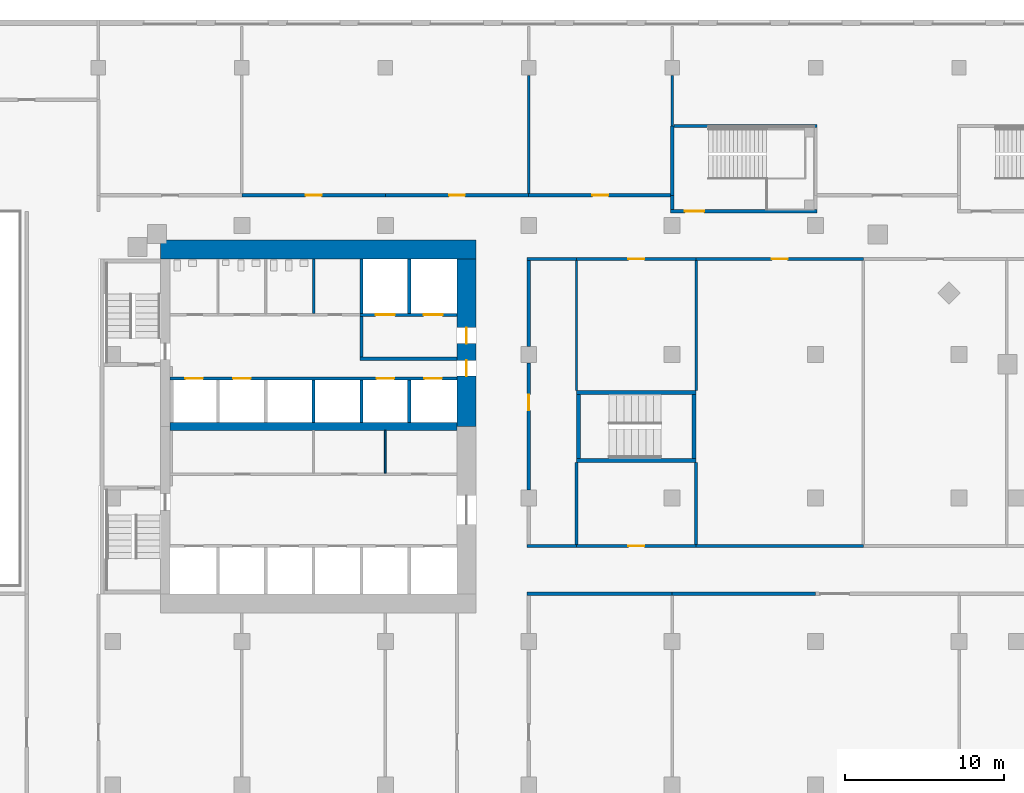
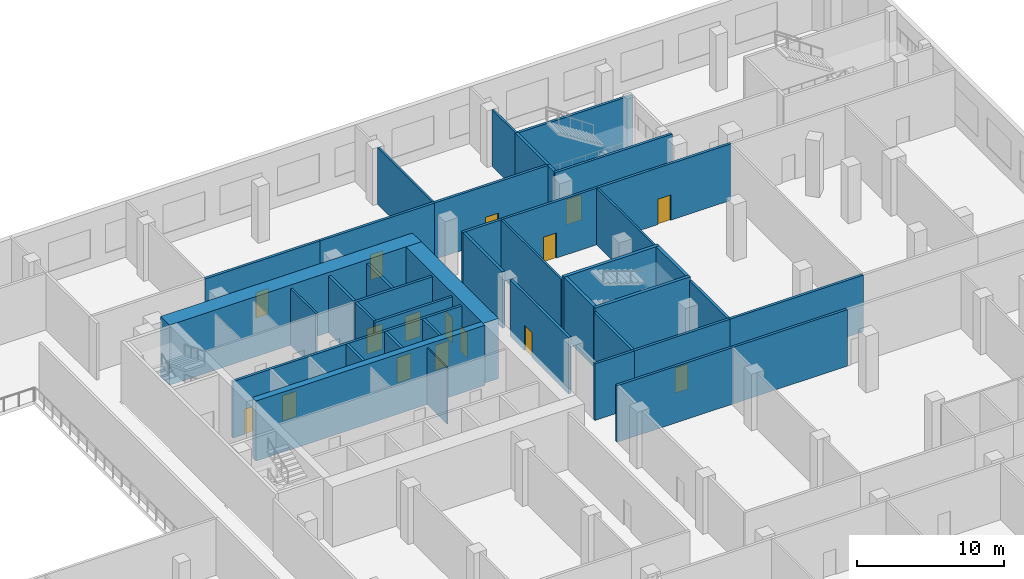
# One storey, part 11 of 21: 41 walls, 16 doors, 16 openings.
"""IFC4 building model written with IfcOpenShell, lengths in metres."""

from ifc_helpers import new_model, si_unit, direction, frame, frame_2d, origin, place, context, subcontext, project, spatial, rectangle, extrude, material, layer, layer_set, type_object, element, fill, save


model = new_model("IFC4")

# Units and contexts
model_context = context("Model", 3, precision=1e-05, world=origin(), true_north=direction((0.0, 1.0)))
body_context = subcontext(model_context, "Body", "Model", "MODEL_VIEW")
ifc_project = project(units=[si_unit("LENGTHUNIT", "METRE"), si_unit("AREAUNIT", "SQUARE_METRE"), si_unit("VOLUMEUNIT", "CUBIC_METRE"), si_unit("PLANEANGLEUNIT", "RADIAN"), si_unit("MASSUNIT", "GRAM", prefix="KILO")], contexts=[model_context])

# Site, building, storey
site_placement = place(None, origin())
site = spatial("IfcSite", under=ifc_project, at=site_placement, CompositionType="ELEMENT")
building_placement = place(site_placement, origin())
building = spatial("IfcBuilding", under=site, at=building_placement, Name="Cinnabar Reach Civic Tower", CompositionType="ELEMENT")
storey_placement = place(building_placement, frame((0.0, 0.0, 16.0)))
storey = spatial("IfcBuildingStorey", under=building, at=storey_placement, Name="L03", CompositionType="ELEMENT", Elevation=16.0)

# Wall
ifc_material_1 = material(Name="Concrete C70", Category="concrete")
ifc_layer_1 = layer(ifc_material_1, 1.2)
ifc_layer_set_1 = layer_set([ifc_layer_1], Name="Core wall 1200 EI 180")
wall_type_1 = type_object("IfcWallType", Name="Core wall 1200 EI 180", PredefinedType="SOLIDWALL", material=ifc_layer_set_1)
wall_1_placement = place(storey_placement, frame((23.7, 42.6, 0.0), z_axis=(0.0, 0.0, 1.0), x_axis=(-1.0, 0.0, 0.0)))
element("IfcWall", 1, at=wall_1_placement, inside=storey, type_object=wall_type_1, Name="Core wall T1 L03 N", PredefinedType="SOLIDWALL", context=body_context, shape_type="SweptSolid", body=[
    extrude(rectangle(XDim=19.8, YDim=1.2, at=frame_2d((9.9, 0.0))), origin(), (0.0, 0.0, 1.0), 5.0),
])

# Wall, openings, doors
wall_2_placement = place(storey_placement, frame((23.1, 31.5, 0.0), z_axis=(0.0, 0.0, 1.0), x_axis=(0.0, 1.0, 0.0)))
wall_2 = element("IfcWall", 2, at=wall_2_placement, inside=storey, type_object=wall_type_1, Name="Core wall T1 L03 E2", PredefinedType="SOLIDWALL", context=body_context, shape_type="SweptSolid", body=[
    extrude(rectangle(XDim=10.5, YDim=1.2, at=frame_2d((5.25, 0.0))), origin(), (0.0, 0.0, 1.0), 5.0),
])
opening_1_placement = place(wall_2_placement, frame((3.15, 0.0, 0.0)))
opening_1 = element("IfcOpeningElement", 3, at=opening_1_placement, cuts=wall_2, Name="Opening D3155", PredefinedType="OPENING", context=body_context, shape_type="SweptSolid", body=[
    extrude(rectangle(XDim=1.0, YDim=2.1, at=frame_2d((0.5, 1.05))), frame((0.0, 0.61, 0.0), z_axis=(0.0, -1.0, 0.0), x_axis=(1.0, 0.0, 0.0)), (0.0, 0.0, 1.0), 1.22),
])
opening_2_placement = place(wall_2_placement, frame((5.2, 0.0, 0.0)))
opening_2 = element("IfcOpeningElement", 4, at=opening_2_placement, cuts=wall_2, Name="Opening D3156", PredefinedType="OPENING", context=body_context, shape_type="SweptSolid", body=[
    extrude(rectangle(XDim=1.0, YDim=2.1, at=frame_2d((0.5, 1.05))), frame((0.0, 0.61, 0.0), z_axis=(0.0, -1.0, 0.0), x_axis=(1.0, 0.0, 0.0)), (0.0, 0.0, 1.0), 1.22),
])
ifc_material_2 = material(Name="Timber door leaf in steel frame", Category="steel")
door_type_1 = type_object("IfcDoorType", Name="Firefighting lobby door 1000 x 2100 T1", OperationType="SINGLE_SWING_LEFT", PredefinedType="DOOR", material=ifc_material_2)
door_1_placement = place(opening_2_placement, frame((1.0, 0.0, 0.0), z_axis=(0.0, 0.0, 1.0), x_axis=(-1.0, 0.0, 0.0)))
door_1 = element("IfcDoor", 5, at=door_1_placement, inside=storey, type_object=door_type_1, Name="Door D3156", OperationType="SINGLE_SWING_RIGHT", OverallHeight=2.1, OverallWidth=1.0, PredefinedType="DOOR", context=body_context, shape_type="SweptSolid", body=[
    extrude(rectangle(XDim=1.0, YDim=2.1, at=frame_2d((0.5, 1.05))), frame((0.0, 0.025, 0.0), z_axis=(0.0, -1.0, 0.0), x_axis=(1.0, 0.0, 0.0)), (0.0, 0.0, 1.0), 0.05),
])
fill(opening_2, door_1)
door_type_2 = type_object("IfcDoorType", Name="Single swing door 1000 x 2100 T1", OperationType="SINGLE_SWING_LEFT", PredefinedType="DOOR", material=ifc_material_2)
door_2_placement = place(opening_1_placement, frame((1.0, 0.0, 0.0), z_axis=(0.0, 0.0, 1.0), x_axis=(-1.0, 0.0, 0.0)))
door_2 = element("IfcDoor", 6, at=door_2_placement, inside=storey, type_object=door_type_2, Name="Door D3155", OperationType="SINGLE_SWING_RIGHT", OverallHeight=2.1, OverallWidth=1.0, PredefinedType="DOOR", context=body_context, shape_type="SweptSolid", body=[
    extrude(rectangle(XDim=1.0, YDim=2.1, at=frame_2d((0.5, 1.05))), frame((0.0, 0.025, 0.0), z_axis=(0.0, -1.0, 0.0), x_axis=(1.0, 0.0, 0.0)), (0.0, 0.0, 1.0), 0.05),
])
fill(opening_1, door_2)

# Wall
ifc_material_3 = material(Name="Concrete C60", Category="concrete")
ifc_layer_2 = layer(ifc_material_3, 0.5)
ifc_layer_set_2 = layer_set([ifc_layer_2], Name="Core wall 500 EI 180")
wall_type_2 = type_object("IfcWallType", Name="Core wall 500 EI 180", PredefinedType="SOLIDWALL", material=ifc_layer_set_2)
wall_3_placement = place(storey_placement, frame((4.5, 31.5, 0.0), z_axis=(0.0, 0.0, 1.0), x_axis=(1.0, 0.0, 0.0)))
element("IfcWall", 7, at=wall_3_placement, inside=storey, type_object=wall_type_2, Name="Core spine wall T1 L03", PredefinedType="SOLIDWALL", context=body_context, shape_type="SweptSolid", body=[
    extrude(rectangle(XDim=18.0, YDim=0.5, at=frame_2d((9.0, 0.0))), origin(), (0.0, 0.0, 1.0), 5.0),
])

# Wall, openings, doors
ifc_material_4 = material(Name="Blockwork", Category="masonry")
ifc_layer_3 = layer(ifc_material_4, 0.2)
ifc_layer_set_3 = layer_set([ifc_layer_3], Name="Lift shaft wall 200 T1")
wall_type_3 = type_object("IfcWallType", Name="Lift shaft wall 200 T1", PredefinedType="PARTITIONING", material=ifc_layer_set_3)
wall_4_placement = place(storey_placement, frame((4.5, 34.5, 0.0), z_axis=(0.0, 0.0, 1.0), x_axis=(1.0, 0.0, 0.0)))
wall_4 = element("IfcWall", 8, at=wall_4_placement, inside=storey, type_object=wall_type_3, Name="Lift shaft wall 5", PredefinedType="PARTITIONING", context=body_context, shape_type="SweptSolid", body=[
    extrude(rectangle(XDim=18.0, YDim=0.2, at=frame_2d((9.0, 0.0))), origin(), (0.0, 0.0, 1.0), 4.7),
])
opening_3_placement = place(wall_4_placement, frame((0.95, 0.0, 0.0)))
opening_3 = element("IfcOpeningElement", 9, at=opening_3_placement, cuts=wall_4, Name="Opening D3148", PredefinedType="OPENING", context=body_context, shape_type="SweptSolid", body=[
    extrude(rectangle(XDim=1.1, YDim=2.1, at=frame_2d((0.55, 1.05))), frame((0.0, 0.11, 0.0), z_axis=(0.0, -1.0, 0.0), x_axis=(1.0, 0.0, 0.0)), (0.0, 0.0, 1.0), 0.22),
])
opening_4_placement = place(wall_4_placement, frame((3.95, 0.0, 0.0)))
opening_4 = element("IfcOpeningElement", 10, at=opening_4_placement, cuts=wall_4, Name="Opening D3149", PredefinedType="OPENING", context=body_context, shape_type="SweptSolid", body=[
    extrude(rectangle(XDim=1.1, YDim=2.1, at=frame_2d((0.55, 1.05))), frame((0.0, 0.11, 0.0), z_axis=(0.0, -1.0, 0.0), x_axis=(1.0, 0.0, 0.0)), (0.0, 0.0, 1.0), 0.22),
])
opening_5_placement = place(wall_4_placement, frame((12.95, 0.0, 0.0)))
opening_5 = element("IfcOpeningElement", 11, at=opening_5_placement, cuts=wall_4, Name="Opening D3150", PredefinedType="OPENING", context=body_context, shape_type="SweptSolid", body=[
    extrude(rectangle(XDim=1.1, YDim=2.1, at=frame_2d((0.55, 1.05))), frame((0.0, 0.11, 0.0), z_axis=(0.0, -1.0, 0.0), x_axis=(1.0, 0.0, 0.0)), (0.0, 0.0, 1.0), 0.22),
])
opening_6_placement = place(wall_4_placement, frame((15.95, 0.0, 0.0)))
opening_6 = element("IfcOpeningElement", 12, at=opening_6_placement, cuts=wall_4, Name="Opening D3151", PredefinedType="OPENING", context=body_context, shape_type="SweptSolid", body=[
    extrude(rectangle(XDim=1.1, YDim=2.1, at=frame_2d((0.55, 1.05))), frame((0.0, 0.11, 0.0), z_axis=(0.0, -1.0, 0.0), x_axis=(1.0, 0.0, 0.0)), (0.0, 0.0, 1.0), 0.22),
])
ifc_material_5 = material(Name="Stainless steel sliding door", Category="steel")
door_type_3 = type_object("IfcDoorType", Name="Lift landing door 1100 x 2100 T1", OperationType="SLIDING_TO_LEFT", PredefinedType="DOOR", material=ifc_material_5)
door_3_placement = place(opening_3_placement, origin())
door_3 = element("IfcDoor", 13, at=door_3_placement, inside=storey, type_object=door_type_3, Name="Lift landing door SH1 L03", OperationType="SLIDING_TO_LEFT", OverallHeight=2.1, OverallWidth=1.1, PredefinedType="DOOR", context=body_context, shape_type="SweptSolid", body=[
    extrude(rectangle(XDim=1.1, YDim=2.1, at=frame_2d((0.55, 1.05))), frame((0.0, 0.025, 0.0), z_axis=(0.0, -1.0, 0.0), x_axis=(1.0, 0.0, 0.0)), (0.0, 0.0, 1.0), 0.05),
])
fill(opening_3, door_3)
door_4_placement = place(opening_4_placement, origin())
door_4 = element("IfcDoor", 14, at=door_4_placement, inside=storey, type_object=door_type_3, Name="Lift landing door SH2 L03", OperationType="SLIDING_TO_LEFT", OverallHeight=2.1, OverallWidth=1.1, PredefinedType="DOOR", context=body_context, shape_type="SweptSolid", body=[
    extrude(rectangle(XDim=1.1, YDim=2.1, at=frame_2d((0.55, 1.05))), frame((0.0, 0.025, 0.0), z_axis=(0.0, -1.0, 0.0), x_axis=(1.0, 0.0, 0.0)), (0.0, 0.0, 1.0), 0.05),
])
fill(opening_4, door_4)
door_5_placement = place(opening_5_placement, origin())
door_5 = element("IfcDoor", 15, at=door_5_placement, inside=storey, type_object=door_type_3, Name="Lift landing door SV1 L03", OperationType="SLIDING_TO_LEFT", OverallHeight=2.1, OverallWidth=1.1, PredefinedType="DOOR", context=body_context, shape_type="SweptSolid", body=[
    extrude(rectangle(XDim=1.1, YDim=2.1, at=frame_2d((0.55, 1.05))), frame((0.0, 0.025, 0.0), z_axis=(0.0, -1.0, 0.0), x_axis=(1.0, 0.0, 0.0)), (0.0, 0.0, 1.0), 0.05),
])
fill(opening_5, door_5)
door_6_placement = place(opening_6_placement, origin())
door_6 = element("IfcDoor", 16, at=door_6_placement, inside=storey, type_object=door_type_3, Name="Lift landing door SV2 L03", OperationType="SLIDING_TO_LEFT", OverallHeight=2.1, OverallWidth=1.1, PredefinedType="DOOR", context=body_context, shape_type="SweptSolid", body=[
    extrude(rectangle(XDim=1.1, YDim=2.1, at=frame_2d((0.55, 1.05))), frame((0.0, 0.025, 0.0), z_axis=(0.0, -1.0, 0.0), x_axis=(1.0, 0.0, 0.0)), (0.0, 0.0, 1.0), 0.05),
])
fill(opening_6, door_6)

# Walls
for number, where, z_axis, x_axis, name in (
    (17, (16.5, 38.6, 0.0), (0.0, 0.0, 1.0), (0.0, 1.0, 0.0), "Lift shaft wall 6"),
    (18, (19.5, 38.6, 0.0), (0.0, 0.0, 1.0), (0.0, 1.0, 0.0), "Lift shaft wall 7"),
):
    element("IfcWall", number, at=place(storey_placement, frame(where, z_axis=z_axis, x_axis=x_axis)), inside=storey, type_object=wall_type_3, Name=name, PredefinedType="PARTITIONING", context=body_context, shape_type="SweptSolid", body=[
        extrude(rectangle(XDim=3.4, YDim=0.2, at=frame_2d((1.7, 0.0))), origin(), (0.0, 0.0, 1.0), 4.7),
    ])
for number, where, z_axis, x_axis, name in (
    (19, (13.5, 31.75, 0.0), (0.0, 0.0, 1.0), (0.0, 1.0, 0.0), "Lift shaft wall 14"),
    (20, (16.5, 31.75, 0.0), (0.0, 0.0, 1.0), (0.0, 1.0, 0.0), "Lift shaft wall 16"),
    (21, (19.5, 31.75, 0.0), (0.0, 0.0, 1.0), (0.0, 1.0, 0.0), "Lift shaft wall 18"),
):
    element("IfcWall", number, at=place(storey_placement, frame(where, z_axis=z_axis, x_axis=x_axis)), inside=storey, type_object=wall_type_3, Name=name, PredefinedType="PARTITIONING", context=body_context, shape_type="SweptSolid", body=[
        extrude(rectangle(XDim=2.65, YDim=0.2, at=frame_2d((1.325, 0.0))), origin(), (0.0, 0.0, 1.0), 4.7),
    ])
ifc_material_6 = material(Name="Gypsum board on steel studs", Category="steel")
ifc_layer_4 = layer(ifc_material_6, 0.1)
ifc_layer_set_4 = layer_set([ifc_layer_4], Name="Partition wall 100 T1")
wall_type_4 = type_object("IfcWallType", Name="Partition wall 100 T1", PredefinedType="PARTITIONING", material=ifc_layer_set_4)
wall_5_placement = place(storey_placement, frame((18.0, 28.575, 0.0), z_axis=(0.0, 0.0, 1.0), x_axis=(0.0, 1.0, 0.0)))
element("IfcWall", 22, at=wall_5_placement, inside=storey, type_object=wall_type_4, Name="Partition wall 28", PredefinedType="PARTITIONING", context=body_context, shape_type="SweptSolid", body=[
    extrude(rectangle(XDim=2.675, YDim=0.1, at=frame_2d((1.3375, 0.0))), origin(), (0.0, 0.0, 1.0), 4.7),
])
ifc_material_7 = material(Name="Concrete blockwork", Category="masonry")
ifc_layer_5 = layer(ifc_material_7, 0.2)
ifc_layer_set_5 = layer_set([ifc_layer_5], Name="Podium masonry corridor wall 200 EI 120")
wall_type_5 = type_object("IfcWallType", Name="Podium masonry corridor wall 200 EI 120", PredefinedType="PARTITIONING", material=ifc_layer_set_5)
wall_6_placement = place(storey_placement, frame((26.9, 42.0, 0.0), z_axis=(0.0, 0.0, 1.0), x_axis=(1.0, 0.0, 0.0)))
element("IfcWall", 23, at=wall_6_placement, inside=storey, type_object=wall_type_5, Name="Wall L03 95", PredefinedType="PARTITIONING", context=body_context, shape_type="SweptSolid", body=[
    extrude(rectangle(XDim=3.1, YDim=0.2, at=frame_2d((1.55, 0.0))), origin(), (0.0, 0.0, 1.0), 4.7),
])

# Wall, opening, door
wall_7_placement = place(storey_placement, frame((30.0, 42.0, 0.0), z_axis=(0.0, 0.0, 1.0), x_axis=(1.0, 0.0, 0.0)))
wall_7 = element("IfcWall", 24, at=wall_7_placement, inside=storey, type_object=wall_type_5, Name="Wall L03 96", PredefinedType="PARTITIONING", context=body_context, shape_type="SweptSolid", body=[
    extrude(rectangle(XDim=7.5, YDim=0.2, at=frame_2d((3.75, 0.0))), origin(), (0.0, 0.0, 1.0), 4.7),
])
opening_7_placement = place(wall_7_placement, frame((3.25, 0.0, 0.0)))
opening_7 = element("IfcOpeningElement", 25, at=opening_7_placement, cuts=wall_7, Name="Opening D1200", PredefinedType="OPENING", context=body_context, shape_type="SweptSolid", body=[
    extrude(rectangle(XDim=1.0, YDim=2.1, at=frame_2d((0.5, 1.05))), frame((0.0, 0.11, 0.0), z_axis=(0.0, -1.0, 0.0), x_axis=(1.0, 0.0, 0.0)), (0.0, 0.0, 1.0), 0.22),
])
ifc_material_8 = material(Name="Painted steel door leaf", Category="steel")
door_type_4 = type_object("IfcDoorType", Name="Podium single door 1000x2100", OperationType="SINGLE_SWING_LEFT", PredefinedType="DOOR", material=ifc_material_8)
door_7_placement = place(opening_7_placement, frame((1.0, 0.0, 0.0), z_axis=(0.0, 0.0, 1.0), x_axis=(-1.0, 0.0, 0.0)))
door_7 = element("IfcDoor", 26, at=door_7_placement, inside=storey, type_object=door_type_4, Name="Door D1200", OperationType="SINGLE_SWING_LEFT", OverallHeight=2.1, OverallWidth=1.0, PredefinedType="DOOR", context=body_context, shape_type="SweptSolid", body=[
    extrude(rectangle(XDim=1.0, YDim=2.1, at=frame_2d((0.5, 1.05))), frame((0.0, 0.025, 0.0), z_axis=(0.0, -1.0, 0.0), x_axis=(1.0, 0.0, 0.0)), (0.0, 0.0, 1.0), 0.05),
])
fill(opening_7, door_7)

wall_8_placement = place(storey_placement, frame((37.5, 42.0, 0.0), z_axis=(0.0, 0.0, 1.0), x_axis=(1.0, 0.0, 0.0)))
wall_8 = element("IfcWall", 27, at=wall_8_placement, inside=storey, type_object=wall_type_5, Name="Wall L03 97", PredefinedType="PARTITIONING", context=body_context, shape_type="SweptSolid", body=[
    extrude(rectangle(XDim=10.5, YDim=0.2, at=frame_2d((5.25, 0.0))), origin(), (0.0, 0.0, 1.0), 4.7),
])
opening_8_placement = place(wall_8_placement, frame((4.75, 0.0, 0.0)))
opening_8 = element("IfcOpeningElement", 28, at=opening_8_placement, cuts=wall_8, Name="Opening D1201", PredefinedType="OPENING", context=body_context, shape_type="SweptSolid", body=[
    extrude(rectangle(XDim=1.0, YDim=2.1, at=frame_2d((0.5, 1.05))), frame((0.0, 0.11, 0.0), z_axis=(0.0, -1.0, 0.0), x_axis=(1.0, 0.0, 0.0)), (0.0, 0.0, 1.0), 0.22),
])
door_8_placement = place(opening_8_placement, frame((1.0, 0.0, 0.0), z_axis=(0.0, 0.0, 1.0), x_axis=(-1.0, 0.0, 0.0)))
door_8 = element("IfcDoor", 29, at=door_8_placement, inside=storey, type_object=door_type_4, Name="Door D1201", OperationType="SINGLE_SWING_LEFT", OverallHeight=2.1, OverallWidth=1.0, PredefinedType="DOOR", context=body_context, shape_type="SweptSolid", body=[
    extrude(rectangle(XDim=1.0, YDim=2.1, at=frame_2d((0.5, 1.05))), frame((0.0, 0.025, 0.0), z_axis=(0.0, -1.0, 0.0), x_axis=(1.0, 0.0, 0.0)), (0.0, 0.0, 1.0), 0.05),
])
fill(opening_8, door_8)

wall_9_placement = place(storey_placement, frame((9.0, 46.0, 0.0), z_axis=(0.0, 0.0, 1.0), x_axis=(1.0, 0.0, 0.0)))
wall_9 = element("IfcWall", 30, at=wall_9_placement, inside=storey, type_object=wall_type_5, Name="Wall L03 101", PredefinedType="PARTITIONING", context=body_context, shape_type="SweptSolid", body=[
    extrude(rectangle(XDim=9.0, YDim=0.2, at=frame_2d((4.5, 0.0))), origin(), (0.0, 0.0, 1.0), 4.7),
])
opening_9_placement = place(wall_9_placement, frame((4.0, 0.0, 0.0)))
opening_9 = element("IfcOpeningElement", 31, at=opening_9_placement, cuts=wall_9, Name="Opening D1209", PredefinedType="OPENING", context=body_context, shape_type="SweptSolid", body=[
    extrude(rectangle(XDim=1.0, YDim=2.1, at=frame_2d((0.5, 1.05))), frame((0.0, 0.11, 0.0), z_axis=(0.0, -1.0, 0.0), x_axis=(1.0, 0.0, 0.0)), (0.0, 0.0, 1.0), 0.22),
])
door_9_placement = place(opening_9_placement, frame((1.0, 0.0, 0.0), z_axis=(0.0, 0.0, 1.0), x_axis=(-1.0, 0.0, 0.0)))
door_9 = element("IfcDoor", 32, at=door_9_placement, inside=storey, type_object=door_type_4, Name="Door D1209", OperationType="SINGLE_SWING_RIGHT", OverallHeight=2.1, OverallWidth=1.0, PredefinedType="DOOR", context=body_context, shape_type="SweptSolid", body=[
    extrude(rectangle(XDim=1.0, YDim=2.1, at=frame_2d((0.5, 1.05))), frame((0.0, 0.025, 0.0), z_axis=(0.0, -1.0, 0.0), x_axis=(1.0, 0.0, 0.0)), (0.0, 0.0, 1.0), 0.05),
])
fill(opening_9, door_9)

wall_10_placement = place(storey_placement, frame((18.0, 46.0, 0.0), z_axis=(0.0, 0.0, 1.0), x_axis=(1.0, 0.0, 0.0)))
wall_10 = element("IfcWall", 33, at=wall_10_placement, inside=storey, type_object=wall_type_5, Name="Wall L03 102", PredefinedType="PARTITIONING", context=body_context, shape_type="SweptSolid", body=[
    extrude(rectangle(XDim=9.0, YDim=0.2, at=frame_2d((4.5, 0.0))), origin(), (0.0, 0.0, 1.0), 4.7),
])
opening_10_placement = place(wall_10_placement, frame((4.0, 0.0, 0.0)))
opening_10 = element("IfcOpeningElement", 34, at=opening_10_placement, cuts=wall_10, Name="Opening D1210", PredefinedType="OPENING", context=body_context, shape_type="SweptSolid", body=[
    extrude(rectangle(XDim=1.0, YDim=2.1, at=frame_2d((0.5, 1.05))), frame((0.0, 0.11, 0.0), z_axis=(0.0, -1.0, 0.0), x_axis=(1.0, 0.0, 0.0)), (0.0, 0.0, 1.0), 0.22),
])
door_10_placement = place(opening_10_placement, frame((1.0, 0.0, 0.0), z_axis=(0.0, 0.0, 1.0), x_axis=(-1.0, 0.0, 0.0)))
door_10 = element("IfcDoor", 35, at=door_10_placement, inside=storey, type_object=door_type_4, Name="Door D1210", OperationType="SINGLE_SWING_RIGHT", OverallHeight=2.1, OverallWidth=1.0, PredefinedType="DOOR", context=body_context, shape_type="SweptSolid", body=[
    extrude(rectangle(XDim=1.0, YDim=2.1, at=frame_2d((0.5, 1.05))), frame((0.0, 0.025, 0.0), z_axis=(0.0, -1.0, 0.0), x_axis=(1.0, 0.0, 0.0)), (0.0, 0.0, 1.0), 0.05),
])
fill(opening_10, door_10)

wall_11_placement = place(storey_placement, frame((27.0, 46.0, 0.0), z_axis=(0.0, 0.0, 1.0), x_axis=(1.0, 0.0, 0.0)))
wall_11 = element("IfcWall", 36, at=wall_11_placement, inside=storey, type_object=wall_type_5, Name="Wall L03 103", PredefinedType="PARTITIONING", context=body_context, shape_type="SweptSolid", body=[
    extrude(rectangle(XDim=8.9, YDim=0.2, at=frame_2d((4.45, 0.0))), origin(), (0.0, 0.0, 1.0), 4.7),
])
opening_11_placement = place(wall_11_placement, frame((4.0, 0.0, 0.0)))
opening_11 = element("IfcOpeningElement", 37, at=opening_11_placement, cuts=wall_11, Name="Opening D1211", PredefinedType="OPENING", context=body_context, shape_type="SweptSolid", body=[
    extrude(rectangle(XDim=1.0, YDim=2.1, at=frame_2d((0.5, 1.05))), frame((0.0, 0.11, 0.0), z_axis=(0.0, -1.0, 0.0), x_axis=(1.0, 0.0, 0.0)), (0.0, 0.0, 1.0), 0.22),
])
door_11_placement = place(opening_11_placement, frame((1.0, 0.0, 0.0), z_axis=(0.0, 0.0, 1.0), x_axis=(-1.0, 0.0, 0.0)))
door_11 = element("IfcDoor", 38, at=door_11_placement, inside=storey, type_object=door_type_4, Name="Door D1211", OperationType="SINGLE_SWING_RIGHT", OverallHeight=2.1, OverallWidth=1.0, PredefinedType="DOOR", context=body_context, shape_type="SweptSolid", body=[
    extrude(rectangle(XDim=1.0, YDim=2.1, at=frame_2d((0.5, 1.05))), frame((0.0, 0.025, 0.0), z_axis=(0.0, -1.0, 0.0), x_axis=(1.0, 0.0, 0.0)), (0.0, 0.0, 1.0), 0.05),
])
fill(opening_11, door_11)

wall_12_placement = place(storey_placement, frame((27.0, 27.52, 0.0), z_axis=(0.0, 0.0, 1.0), x_axis=(0.0, 1.0, 0.0)))
wall_12 = element("IfcWall", 39, at=wall_12_placement, inside=storey, type_object=wall_type_5, Name="Wall L03 110", PredefinedType="PARTITIONING", context=body_context, shape_type="SweptSolid", body=[
    extrude(rectangle(XDim=7.96, YDim=0.2, at=frame_2d((3.98, 0.0))), origin(), (0.0, 0.0, 1.0), 4.7),
])
opening_12_placement = place(wall_12_placement, frame((4.98, 0.0, 0.0)))
opening_12 = element("IfcOpeningElement", 40, at=opening_12_placement, cuts=wall_12, Name="Opening D1198", PredefinedType="OPENING", context=body_context, shape_type="SweptSolid", body=[
    extrude(rectangle(XDim=1.0, YDim=2.1, at=frame_2d((0.5, 1.05))), frame((0.0, 0.11, 0.0), z_axis=(0.0, -1.0, 0.0), x_axis=(1.0, 0.0, 0.0)), (0.0, 0.0, 1.0), 0.22),
])
door_12_placement = place(opening_12_placement, frame((1.0, 0.0, 0.0), z_axis=(0.0, 0.0, 1.0), x_axis=(-1.0, 0.0, 0.0)))
door_12 = element("IfcDoor", 41, at=door_12_placement, inside=storey, type_object=door_type_4, Name="Door D1198", OperationType="SINGLE_SWING_LEFT", OverallHeight=2.1, OverallWidth=1.0, PredefinedType="DOOR", context=body_context, shape_type="SweptSolid", body=[
    extrude(rectangle(XDim=1.0, YDim=2.1, at=frame_2d((0.5, 1.05))), frame((0.0, 0.025, 0.0), z_axis=(0.0, -1.0, 0.0), x_axis=(1.0, 0.0, 0.0)), (0.0, 0.0, 1.0), 0.05),
])
fill(opening_12, door_12)

# Walls
wall_13_placement = place(storey_placement, frame((27.0, 36.52, 0.0), z_axis=(0.0, 0.0, 1.0), x_axis=(0.0, 1.0, 0.0)))
element("IfcWall", 42, at=wall_13_placement, inside=storey, type_object=wall_type_5, Name="Wall L03 111", PredefinedType="PARTITIONING", context=body_context, shape_type="SweptSolid", body=[
    extrude(rectangle(XDim=5.38, YDim=0.2, at=frame_2d((2.69, 0.0))), origin(), (0.0, 0.0, 1.0), 4.7),
])
wall_14_placement = place(storey_placement, frame((26.9, 21.0, 0.0), z_axis=(0.0, 0.0, 1.0), x_axis=(1.0, 0.0, 0.0)))
element("IfcWall", 43, at=wall_14_placement, inside=storey, type_object=wall_type_5, Name="Wall L03 112", PredefinedType="PARTITIONING", context=body_context, shape_type="SweptSolid", body=[
    extrude(rectangle(XDim=9.1, YDim=0.2, at=frame_2d((4.55, 0.0))), origin(), (0.0, 0.0, 1.0), 4.7),
])
wall_15_placement = place(storey_placement, frame((36.0, 21.0, 0.0), z_axis=(0.0, 0.0, 1.0), x_axis=(1.0, 0.0, 0.0)))
element("IfcWall", 44, at=wall_15_placement, inside=storey, type_object=wall_type_5, Name="Wall L03 114", PredefinedType="PARTITIONING", context=body_context, shape_type="SweptSolid", body=[
    extrude(rectangle(XDim=9.0, YDim=0.2, at=frame_2d((4.5, 0.0))), origin(), (0.0, 0.0, 1.0), 4.7),
])
wall_16_placement = place(storey_placement, frame((26.9, 24.0, 0.0), z_axis=(0.0, 0.0, 1.0), x_axis=(1.0, 0.0, 0.0)))
element("IfcWall", 45, at=wall_16_placement, inside=storey, type_object=wall_type_5, Name="Wall L03 116", PredefinedType="PARTITIONING", context=body_context, shape_type="SweptSolid", body=[
    extrude(rectangle(XDim=3.1, YDim=0.2, at=frame_2d((1.55, 0.0))), origin(), (0.0, 0.0, 1.0), 4.7),
])

# Wall, opening, door
wall_17_placement = place(storey_placement, frame((30.0, 24.0, 0.0), z_axis=(0.0, 0.0, 1.0), x_axis=(1.0, 0.0, 0.0)))
wall_17 = element("IfcWall", 46, at=wall_17_placement, inside=storey, type_object=wall_type_5, Name="Wall L03 117", PredefinedType="PARTITIONING", context=body_context, shape_type="SweptSolid", body=[
    extrude(rectangle(XDim=7.5, YDim=0.2, at=frame_2d((3.75, 0.0))), origin(), (0.0, 0.0, 1.0), 4.7),
])
opening_13_placement = place(wall_17_placement, frame((3.25, 0.0, 0.0)))
opening_13 = element("IfcOpeningElement", 47, at=opening_13_placement, cuts=wall_17, Name="Opening D1199", PredefinedType="OPENING", context=body_context, shape_type="SweptSolid", body=[
    extrude(rectangle(XDim=1.0, YDim=2.1, at=frame_2d((0.5, 1.05))), frame((0.0, 0.11, 0.0), z_axis=(0.0, -1.0, 0.0), x_axis=(1.0, 0.0, 0.0)), (0.0, 0.0, 1.0), 0.22),
])
door_13_placement = place(opening_13_placement, origin())
door_13 = element("IfcDoor", 48, at=door_13_placement, inside=storey, type_object=door_type_4, Name="Door D1199", OperationType="SINGLE_SWING_LEFT", OverallHeight=2.1, OverallWidth=1.0, PredefinedType="DOOR", context=body_context, shape_type="SweptSolid", body=[
    extrude(rectangle(XDim=1.0, YDim=2.1, at=frame_2d((0.5, 1.05))), frame((0.0, 0.025, 0.0), z_axis=(0.0, -1.0, 0.0), x_axis=(1.0, 0.0, 0.0)), (0.0, 0.0, 1.0), 0.05),
])
fill(opening_13, door_13)

# Walls
wall_18_placement = place(storey_placement, frame((37.5, 24.0, 0.0), z_axis=(0.0, 0.0, 1.0), x_axis=(1.0, 0.0, 0.0)))
element("IfcWall", 49, at=wall_18_placement, inside=storey, type_object=wall_type_5, Name="Wall L03 118", PredefinedType="PARTITIONING", context=body_context, shape_type="SweptSolid", body=[
    extrude(rectangle(XDim=10.5, YDim=0.2, at=frame_2d((5.25, 0.0))), origin(), (0.0, 0.0, 1.0), 4.7),
])
for number, where, z_axis, x_axis, name in (
    (50, (30.0, 24.1, 0.0), (0.0, 0.0, 1.0), (0.0, 1.0, 0.0), "Wall L03 205"),
    (51, (37.5, 24.1, 0.0), (0.0, 0.0, 1.0), (0.0, 1.0, 0.0), "Wall L03 207"),
):
    element("IfcWall", number, at=place(storey_placement, frame(where, z_axis=z_axis, x_axis=x_axis)), inside=storey, type_object=wall_type_5, Name=name, PredefinedType="PARTITIONING", context=body_context, shape_type="SweptSolid", body=[
        extrude(rectangle(XDim=5.15, YDim=0.2, at=frame_2d((2.575, 0.0))), origin(), (0.0, 0.0, 1.0), 4.7),
    ])
ifc_layer_6 = layer(ifc_material_6, 0.15)
ifc_layer_set_6 = layer_set([ifc_layer_6], Name="Podium partition wall 150 EI 90")
wall_type_6 = type_object("IfcWallType", Name="Podium partition wall 150 EI 90", PredefinedType="PARTITIONING", material=ifc_layer_set_6)
for number, where, z_axis, x_axis, name in (
    (52, (30.0, 33.75, 0.0), (0.0, 0.0, 1.0), (0.0, 1.0, 0.0), "Wall L03 206"),
    (53, (37.5, 33.75, 0.0), (0.0, 0.0, 1.0), (0.0, 1.0, 0.0), "Wall L03 208"),
):
    element("IfcWall", number, at=place(storey_placement, frame(where, z_axis=z_axis, x_axis=x_axis)), inside=storey, type_object=wall_type_6, Name=name, PredefinedType="PARTITIONING", context=body_context, shape_type="SweptSolid", body=[
        extrude(rectangle(XDim=8.15, YDim=0.15, at=frame_2d((4.075, 0.0))), origin(), (0.0, 0.0, 1.0), 4.7),
    ])
wall_19_placement = place(storey_placement, frame((27.0, 46.1, 0.0), z_axis=(0.0, 0.0, 1.0), x_axis=(0.0, 1.0, 0.0)))
element("IfcWall", 54, at=wall_19_placement, inside=storey, type_object=wall_type_6, Name="Wall L03 220", PredefinedType="PARTITIONING", context=body_context, shape_type="SweptSolid", body=[
    extrude(rectangle(XDim=7.43, YDim=0.15, at=frame_2d((3.715, 0.0))), origin(), (0.0, 0.0, 1.0), 4.7),
])
wall_20_placement = place(storey_placement, frame((36.0, 50.35, 0.0), z_axis=(0.0, 0.0, 1.0), x_axis=(0.0, 1.0, 0.0)))
element("IfcWall", 55, at=wall_20_placement, inside=storey, type_object=wall_type_6, Name="Wall L03 222", PredefinedType="PARTITIONING", context=body_context, shape_type="SweptSolid", body=[
    extrude(rectangle(XDim=3.18, YDim=0.15, at=frame_2d((1.59, 0.0))), origin(), (0.0, 0.0, 1.0), 4.7),
])

# Wall, opening, door
ifc_material_9 = material(Name="Concrete C40", Category="concrete")
ifc_layer_7 = layer(ifc_material_9, 0.2)
ifc_layer_set_7 = layer_set([ifc_layer_7], Name="Podium stair shaft wall 200 EI 120")
wall_type_7 = type_object("IfcWallType", Name="Podium stair shaft wall 200 EI 120", PredefinedType="SOLIDWALL", material=ifc_layer_set_7)
wall_21_placement = place(storey_placement, frame((35.9, 45.0, 0.0), z_axis=(0.0, 0.0, 1.0), x_axis=(1.0, 0.0, 0.0)))
wall_21 = element("IfcWall", 56, at=wall_21_placement, inside=storey, type_object=wall_type_7, Name="Wall L03 23", PredefinedType="SOLIDWALL", context=body_context, shape_type="SweptSolid", body=[
    extrude(rectangle(XDim=9.2, YDim=0.2, at=frame_2d((4.6, 0.0))), origin(), (0.0, 0.0, 1.0), 4.7),
])
opening_14_placement = place(wall_21_placement, frame((0.9, 0.0, 0.0)))
opening_14 = element("IfcOpeningElement", 57, at=opening_14_placement, cuts=wall_21, Name="Opening D1218", PredefinedType="OPENING", context=body_context, shape_type="SweptSolid", body=[
    extrude(rectangle(XDim=1.2, YDim=2.1, at=frame_2d((0.6, 1.05))), frame((0.0, 0.11, 0.0), z_axis=(0.0, -1.0, 0.0), x_axis=(1.0, 0.0, 0.0)), (0.0, 0.0, 1.0), 0.22),
])
door_type_5 = type_object("IfcDoorType", Name="Podium single door 1200x2100", OperationType="SINGLE_SWING_LEFT", PredefinedType="DOOR", material=ifc_material_8)
door_14_placement = place(opening_14_placement, origin())
door_14 = element("IfcDoor", 58, at=door_14_placement, inside=storey, type_object=door_type_5, Name="Door D1218", OperationType="SINGLE_SWING_LEFT", OverallHeight=2.1, OverallWidth=1.2, PredefinedType="DOOR", context=body_context, shape_type="SweptSolid", body=[
    extrude(rectangle(XDim=1.2, YDim=2.1, at=frame_2d((0.6, 1.05))), frame((0.0, 0.025, 0.0), z_axis=(0.0, -1.0, 0.0), x_axis=(1.0, 0.0, 0.0)), (0.0, 0.0, 1.0), 0.05),
])
fill(opening_14, door_14)

# Walls
wall_22_placement = place(storey_placement, frame((36.0, 45.1, 0.0), z_axis=(0.0, 0.0, 1.0), x_axis=(0.0, 1.0, 0.0)))
element("IfcWall", 59, at=wall_22_placement, inside=storey, type_object=wall_type_7, Name="Wall L03 24", PredefinedType="SOLIDWALL", context=body_context, shape_type="SweptSolid", body=[
    extrude(rectangle(XDim=0.9, YDim=0.2, at=frame_2d((0.45, 0.0))), origin(), (0.0, 0.0, 1.0), 4.7),
])
wall_23_placement = place(storey_placement, frame((36.0, 46.0, 0.0), z_axis=(0.0, 0.0, 1.0), x_axis=(0.0, 1.0, 0.0)))
element("IfcWall", 60, at=wall_23_placement, inside=storey, type_object=wall_type_7, Name="Wall L03 25", PredefinedType="SOLIDWALL", context=body_context, shape_type="SweptSolid", body=[
    extrude(rectangle(XDim=4.35, YDim=0.2, at=frame_2d((2.175, 0.0))), origin(), (0.0, 0.0, 1.0), 4.7),
])
wall_24_placement = place(storey_placement, frame((36.1, 50.35, 0.0), z_axis=(0.0, 0.0, 1.0), x_axis=(1.0, 0.0, 0.0)))
element("IfcWall", 61, at=wall_24_placement, inside=storey, type_object=wall_type_7, Name="Wall L03 26", PredefinedType="SOLIDWALL", context=body_context, shape_type="SweptSolid", body=[
    extrude(rectangle(XDim=9.0, YDim=0.2, at=frame_2d((4.5, 0.0))), origin(), (0.0, 0.0, 1.0), 4.7),
])
ifc_layer_8 = layer(ifc_material_9, 0.2)
ifc_layer_set_8 = layer_set([ifc_layer_8], Name="Refuge compartment wall 200 T1")
wall_type_8 = type_object("IfcWallType", Name="Refuge compartment wall 200 T1", PredefinedType="PARTITIONING", material=ifc_layer_set_8)
wall_25_placement = place(storey_placement, frame((16.4, 35.75, 0.0), z_axis=(0.0, 0.0, 1.0), x_axis=(1.0, 0.0, 0.0)))
element("IfcWall", 62, at=wall_25_placement, inside=storey, type_object=wall_type_8, Name="Refuge compartment wall 1", PredefinedType="PARTITIONING", context=body_context, shape_type="SweptSolid", body=[
    extrude(rectangle(XDim=6.1, YDim=0.2, at=frame_2d((3.05, 0.0))), origin(), (0.0, 0.0, 1.0), 4.7),
])

# Wall, openings, doors
wall_26_placement = place(storey_placement, frame((16.4, 38.5, 0.0), z_axis=(0.0, 0.0, 1.0), x_axis=(1.0, 0.0, 0.0)))
wall_26 = element("IfcWall", 63, at=wall_26_placement, inside=storey, type_object=wall_type_8, Name="Refuge compartment wall 2", PredefinedType="PARTITIONING", context=body_context, shape_type="SweptSolid", body=[
    extrude(rectangle(XDim=6.1, YDim=0.2, at=frame_2d((3.05, 0.0))), origin(), (0.0, 0.0, 1.0), 4.7),
])
opening_15_placement = place(wall_26_placement, frame((1.0, 0.0, 0.0)))
opening_15 = element("IfcOpeningElement", 64, at=opening_15_placement, cuts=wall_26, Name="Opening D3152", PredefinedType="OPENING", context=body_context, shape_type="SweptSolid", body=[
    extrude(rectangle(XDim=1.2, YDim=2.1, at=frame_2d((0.6, 1.05))), frame((0.0, 0.11, 0.0), z_axis=(0.0, -1.0, 0.0), x_axis=(1.0, 0.0, 0.0)), (0.0, 0.0, 1.0), 0.22),
])
opening_16_placement = place(wall_26_placement, frame((4.0, 0.0, 0.0)))
opening_16 = element("IfcOpeningElement", 65, at=opening_16_placement, cuts=wall_26, Name="Opening D3153", PredefinedType="OPENING", context=body_context, shape_type="SweptSolid", body=[
    extrude(rectangle(XDim=1.2, YDim=2.1, at=frame_2d((0.6, 1.05))), frame((0.0, 0.11, 0.0), z_axis=(0.0, -1.0, 0.0), x_axis=(1.0, 0.0, 0.0)), (0.0, 0.0, 1.0), 0.22),
])
door_type_6 = type_object("IfcDoorType", Name="Firefighting lift landing door 1200 x 2100 T1", OperationType="SLIDING_TO_LEFT", PredefinedType="DOOR", material=ifc_material_5)
door_15_placement = place(opening_15_placement, origin())
door_15 = element("IfcDoor", 66, at=door_15_placement, inside=storey, type_object=door_type_6, Name="Lift landing door FF1 L03", OperationType="SLIDING_TO_LEFT", OverallHeight=2.1, OverallWidth=1.2, PredefinedType="DOOR", context=body_context, shape_type="SweptSolid", body=[
    extrude(rectangle(XDim=1.2, YDim=2.1, at=frame_2d((0.6, 1.05))), frame((0.0, 0.025, 0.0), z_axis=(0.0, -1.0, 0.0), x_axis=(1.0, 0.0, 0.0)), (0.0, 0.0, 1.0), 0.05),
])
fill(opening_15, door_15)
door_16_placement = place(opening_16_placement, origin())
door_16 = element("IfcDoor", 67, at=door_16_placement, inside=storey, type_object=door_type_6, Name="Lift landing door FF2 L03", OperationType="SLIDING_TO_LEFT", OverallHeight=2.1, OverallWidth=1.2, PredefinedType="DOOR", context=body_context, shape_type="SweptSolid", body=[
    extrude(rectangle(XDim=1.2, YDim=2.1, at=frame_2d((0.6, 1.05))), frame((0.0, 0.025, 0.0), z_axis=(0.0, -1.0, 0.0), x_axis=(1.0, 0.0, 0.0)), (0.0, 0.0, 1.0), 0.05),
])
fill(opening_16, door_16)

# Walls
wall_27_placement = place(storey_placement, frame((16.5, 35.85, 0.0), z_axis=(0.0, 0.0, 1.0), x_axis=(0.0, 1.0, 0.0)))
element("IfcWall", 68, at=wall_27_placement, inside=storey, type_object=wall_type_8, Name="Refuge compartment wall 3", PredefinedType="PARTITIONING", context=body_context, shape_type="SweptSolid", body=[
    extrude(rectangle(XDim=2.55, YDim=0.2, at=frame_2d((1.275, 0.0))), origin(), (0.0, 0.0, 1.0), 4.7),
])
ifc_layer_9 = layer(ifc_material_4, 0.15)
ifc_layer_set_9 = layer_set([ifc_layer_9], Name="Riser wall 150 T1")
wall_type_9 = type_object("IfcWallType", Name="Riser wall 150 T1", PredefinedType="PARTITIONING", material=ifc_layer_set_9)
wall_28_placement = place(storey_placement, frame((13.5, 38.575, 0.0), z_axis=(0.0, 0.0, 1.0), x_axis=(0.0, 1.0, 0.0)))
element("IfcWall", 69, at=wall_28_placement, inside=storey, type_object=wall_type_9, Name="Riser wall 24", PredefinedType="PARTITIONING", context=body_context, shape_type="SweptSolid", body=[
    extrude(rectangle(XDim=3.425, YDim=0.15, at=frame_2d((1.7125, 0.0))), origin(), (0.0, 0.0, 1.0), 4.7),
])
ifc_layer_10 = layer(ifc_material_3, 0.25)
ifc_layer_set_10 = layer_set([ifc_layer_10], Name="Stair shaft wall 250 EI 120")
wall_type_10 = type_object("IfcWallType", Name="Stair shaft wall 250 EI 120", PredefinedType="SOLIDWALL", material=ifc_layer_set_10)
for number, where, z_axis, x_axis, name in (
    (70, (30.0, 29.375, 0.0), (0.0, 0.0, 1.0), (1.0, 0.0, 0.0), "Stair shaft wall T1-S3 L03"),
    (71, (37.5, 33.625, 0.0), (0.0, 0.0, 1.0), (-1.0, 0.0, 0.0), "Stair shaft wall T1-S3 L03"),
):
    element("IfcWall", number, at=place(storey_placement, frame(where, z_axis=z_axis, x_axis=x_axis)), inside=storey, type_object=wall_type_10, Name=name, PredefinedType="SOLIDWALL", context=body_context, shape_type="SweptSolid", body=[
        extrude(rectangle(XDim=7.5, YDim=0.25, at=frame_2d((3.75, 0.0))), origin(), (0.0, 0.0, 1.0), 5.0),
    ])
for number, where, z_axis, x_axis, name in (
    (72, (37.375, 29.5, 0.0), (0.0, 0.0, 1.0), (0.0, 1.0, 0.0), "Stair shaft wall T1-S3 L03"),
    (73, (30.125, 33.5, 0.0), (0.0, 0.0, 1.0), (0.0, -1.0, 0.0), "Stair shaft wall T1-S3 L03"),
):
    element("IfcWall", number, at=place(storey_placement, frame(where, z_axis=z_axis, x_axis=x_axis)), inside=storey, type_object=wall_type_10, Name=name, PredefinedType="SOLIDWALL", context=body_context, shape_type="SweptSolid", body=[
        extrude(rectangle(XDim=4.0, YDim=0.25, at=frame_2d((2.0, 0.0))), origin(), (0.0, 0.0, 1.0), 5.0),
    ])

save(model, "model.ifc")
